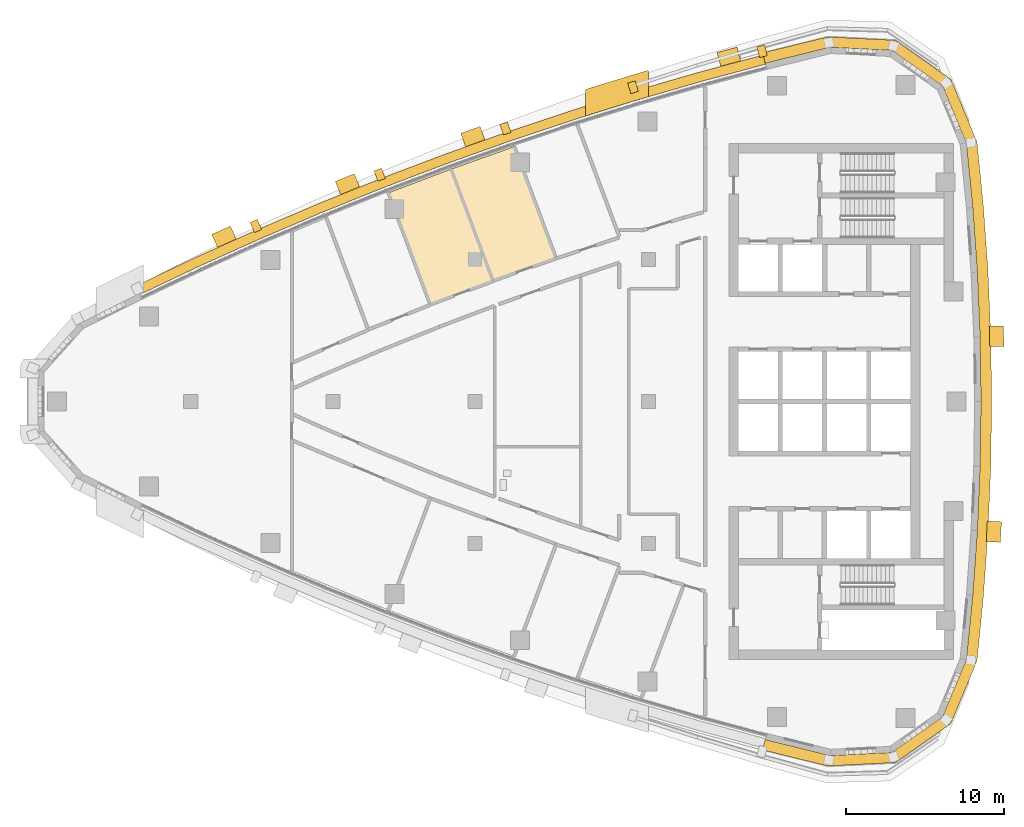
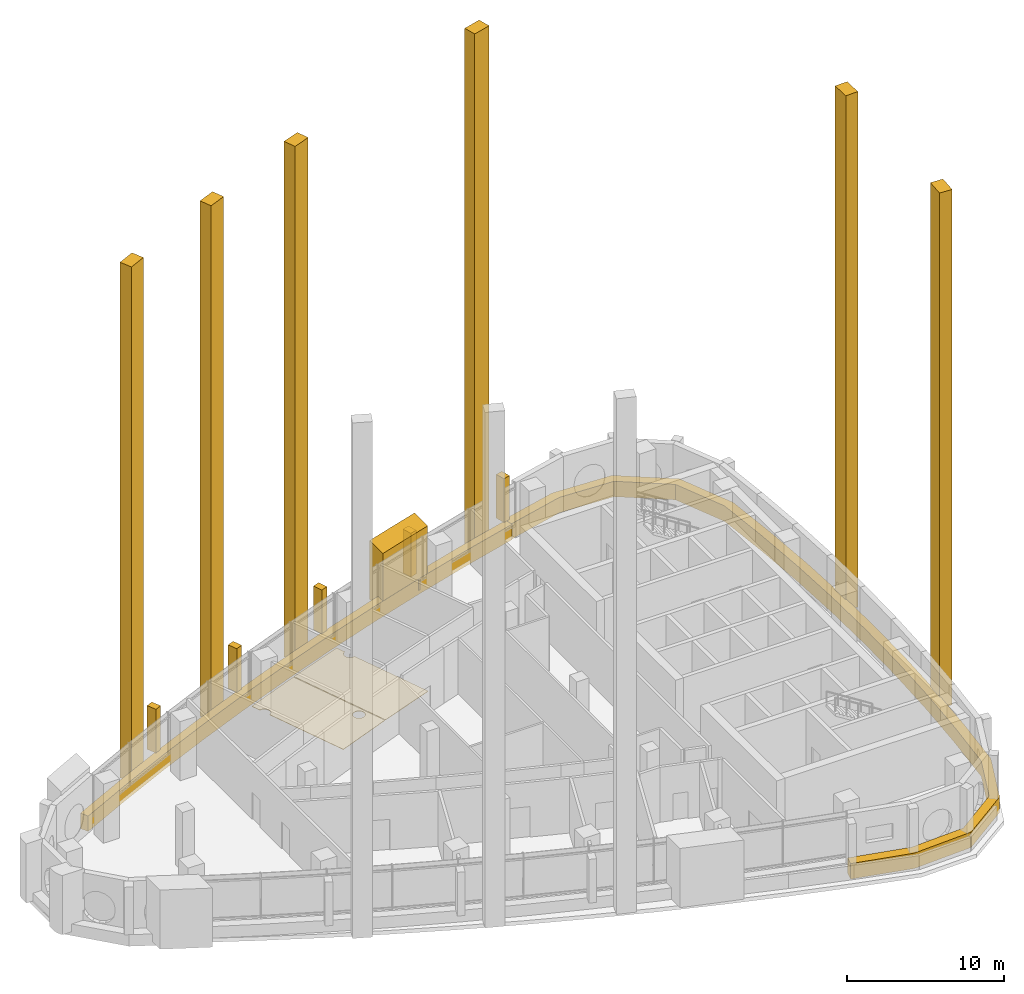
# One storey, part 13 of 15: 16 coverings.
"""IFC4 building model written with IfcOpenShell, lengths in metres."""

from ifc_helpers import new_model, si_unit, direction, frame, frame_2d, origin, place, context, subcontext, project, spatial, polyline, rectangle, outline, extrude, material, layer, layer_set, type_object, element, save


model = new_model("IFC4")

# Units and contexts
model_context = context("Model", 3, precision=1e-05, world=origin(), true_north=direction((0.0, 1.0)))
body_context = subcontext(model_context, "Body", "Model", "MODEL_VIEW")
ifc_project = project(units=[si_unit("LENGTHUNIT", "METRE"), si_unit("AREAUNIT", "SQUARE_METRE"), si_unit("VOLUMEUNIT", "CUBIC_METRE"), si_unit("PLANEANGLEUNIT", "RADIAN"), si_unit("MASSUNIT", "GRAM", prefix="KILO")], contexts=[model_context])

# Site, building, storey
site_placement = place(None, origin())
site = spatial("IfcSite", under=ifc_project, at=site_placement, CompositionType="ELEMENT")
building_placement = place(site_placement, origin())
building = spatial("IfcBuilding", under=site, at=building_placement, Name="Ostrand Prow Hotel Tower", CompositionType="ELEMENT")
storey_placement = place(building_placement, frame((0.0, 0.0, 216.199951171875)))
storey = spatial("IfcBuildingStorey", under=building, at=storey_placement, Name="L54", CompositionType="ELEMENT", Elevation=216.199951171875)

# Coverings
ifc_material_1 = material(Name="Bronze anodised aluminium cladding", Category="aluminium")
ifc_layer_1 = layer(ifc_material_1, 0.60009765625)
ifc_layer_set_1 = layer_set([ifc_layer_1], Name="Bronze anodised aluminium cladding")
covering_type_1 = type_object("IfcCoveringType", Name="Bronze spandrel band 1200x600", PredefinedType="CLADDING", material=ifc_layer_set_1)
covering_1_placement = place(storey_placement, frame((0.0, 0.0, -0.300048828125)))
element("IfcCovering", 1, at=covering_1_placement, inside=storey, type_object=covering_type_1, Name="Spandrel band N1", PredefinedType="CLADDING", context=body_context, shape_type="SweptSolid", body=[
    extrude(outline(polyline([(52.256591796875, 21.944580078125), (48.16064453125, 20.846435546875), (44.087890625, 19.665771484375), (40.039306640625, 18.403564453125), (36.017333984375, 17.059814453125), (32.02294921875, 15.635498046875), (28.058349609375, 14.131103515625), (24.12451171875, 12.547119140625), (20.2236328125, 10.88427734375), (16.35693359375, 9.14306640625), (12.526123046875, 7.324462890625), (12.788818359375, 6.784912109375), (16.60888671875, 8.598388671875), (20.464599609375, 10.334716796875), (24.354248046875, 11.992919921875), (28.27685546875, 13.572265625), (32.230224609375, 15.072509765625), (36.213134765625, 16.49267578125), (40.223876953125, 17.83251953125), (44.260498046875, 19.09130859375), (48.322021484375, 20.268310546875), (52.40625, 21.363525390625), (52.256591796875, 21.944580078125)])), origin(), (0.0, 0.0, 1.0), 1.2001953125),
])
covering_2_placement = place(storey_placement, frame((0.0, 0.0, -0.300048828125)))
element("IfcCovering", 2, at=covering_2_placement, inside=storey, type_object=covering_type_1, Name="Spandrel band back 1", PredefinedType="CLADDING", context=body_context, shape_type="SweptSolid", body=[
    extrude(outline(polyline([(52.22119140625, -22.081787109375), (56.34130859375, -23.09814453125), (60.638671875, -22.8837890625), (64.15771484375, -20.408447265625), (65.81201171875, -16.4365234375), (66.218505859375, -12.3388671875), (66.509033203125, -8.2314453125), (66.68359375, -4.117431640625), (66.74169921875, 0.0), (66.68359375, 4.117431640625), (66.509033203125, 8.2314453125), (66.218505859375, 12.3388671875), (65.81201171875, 16.4365234375), (64.15771484375, 20.408447265625), (60.638671875, 22.8837890625), (56.34130859375, 23.09814453125), (52.22119140625, 22.081787109375), (52.390869140625, 21.42333984375), (56.49755859375, 22.436279296875), (60.417236328125, 22.240966796875), (63.62744140625, 19.98291015625), (65.13623046875, 16.35986328125), (65.541015625, 12.281494140625), (65.830078125, 8.193115234375), (66.00390625, 4.09814453125), (66.061767578125, 0.0), (66.00390625, -4.09814453125), (65.830078125, -8.193115234375), (65.541015625, -12.281494140625), (65.13623046875, -16.35986328125), (63.62744140625, -19.98291015625), (60.417236328125, -22.240966796875), (56.49755859375, -22.436279296875), (52.390869140625, -21.42333984375), (52.22119140625, -22.081787109375)])), origin(), (0.0, 0.0, 1.0), 1.2001953125),
])
ifc_material_2 = material(Name="Limestone cladding", Category="masonry")
ifc_layer_2 = layer(ifc_material_2, 5.0)
ifc_layer_set_2 = layer_set([ifc_layer_2], Name="Limestone cladding")
covering_type_2 = type_object("IfcCoveringType", Name="Portal jamb pilaster limestone", PredefinedType="CLADDING", material=ifc_layer_set_2)
covering_3_placement = place(storey_placement, origin())
element("IfcCovering", 3, at=covering_3_placement, inside=storey, type_object=covering_type_2, Name="Portal jamb NB L54", PredefinedType="CLADDING", context=body_context, shape_type="SweptSolid", body=[
    extrude(outline(polyline([(41.0, 18.08154296875), (42.0, 18.3974609375), (43.0, 18.707763671875), (44.0, 19.0126953125), (45.0, 19.312255859375), (45.0, 20.980712890625), (44.0, 20.68359375), (43.0, 20.381103515625), (42.0, 20.0732421875), (41.0, 19.760009765625), (41.0, 18.08154296875)])), origin(), (0.0, 0.0, 1.0), 4.60009765625),
])
ifc_material_3 = material(Name="Limestone cladding", Category="masonry")
ifc_layer_3 = layer(ifc_material_3, 1.300048828125)
ifc_layer_set_3 = layer_set([ifc_layer_3], Name="Limestone cladding")
covering_type_3 = type_object("IfcCoveringType", Name="Precast stone fin 1300x1500", PredefinedType="CLADDING", material=ifc_layer_set_3)
covering_4_placement = place(storey_placement, frame((50.205810546875, 21.40576171875, 0.0), z_axis=(0.0, 0.0, 1.0), x_axis=(-0.258776761059, 0.965937155273, 0.0)))
element("IfcCovering", 4, at=covering_4_placement, inside=storey, type_object=covering_type_3, Name="Stone fin N zone 5 1", PredefinedType="CLADDING", context=body_context, shape_type="SweptSolid", body=[
    extrude(rectangle(XDim=0.900146484375, YDim=1.300048828125, at=frame_2d((0.4501953125, 0.0))), origin(), (0.0, 0.0, 1.0), 40.10009765625),
])
for number, where, z_axis, x_axis, name in (
    (5, (34.0166015625, 16.35791015625, 0.0), (0.0, 0.0, 1.0), (-0.335855153594, 0.94191364562, 0.0), "Stone fin N zone 5 5"),
    (6, (26.08740234375, 13.34912109375, 0.0), (0.0, 0.0, 1.0), (-0.373588148073, 0.927594682833, 0.0), "Stone fin N zone 5 7"),
    (7, (18.285888671875, 10.0234375, 0.0), (0.0, 0.0, 1.0), (-0.410488764434, 0.911865655825, 0.0), "Stone fin N zone 5 9"),
):
    element("IfcCovering", number, at=place(storey_placement, frame(where, z_axis=z_axis, x_axis=x_axis)), inside=storey, type_object=covering_type_3, Name=name, PredefinedType="CLADDING", context=body_context, shape_type="SweptSolid", body=[
        extrude(rectangle(XDim=0.89990234375, YDim=1.300048828125, at=frame_2d((0.449951171875, 0.0))), origin(), (0.0, 0.0, 1.0), 40.10009765625),
    ])
covering_5_placement = place(storey_placement, frame((66.42919921875, -8.226806640625, 0.0), z_axis=(0.0, 0.0, 1.0), x_axis=(0.998407327282, -0.056416387958, 0.0)))
element("IfcCovering", 8, at=covering_5_placement, inside=storey, type_object=covering_type_3, Name="Stone fin back zone 5 7", PredefinedType="CLADDING", context=body_context, shape_type="SweptSolid", body=[
    extrude(rectangle(XDim=0.900146484375, YDim=1.300048828125, at=frame_2d((0.4501953125, 0.0))), origin(), (0.0, 0.0, 1.0), 40.10009765625),
])
covering_6_placement = place(storey_placement, frame((66.603515625, 4.114990234375, 0.0), z_axis=(0.0, 0.0, 1.0), x_axis=(0.99960198233, 0.028211290682, 0.0)))
element("IfcCovering", 9, at=covering_6_placement, inside=storey, type_object=covering_type_3, Name="Stone fin back zone 5 10", PredefinedType="CLADDING", context=body_context, shape_type="SweptSolid", body=[
    extrude(rectangle(XDim=0.89990234375, YDim=1.300048828125, at=frame_2d((0.449951171875, 0.0))), origin(), (0.0, 0.0, 1.0), 40.10009765625),
])
ifc_material_4 = material(Name="Limestone cladding", Category="masonry")
ifc_layer_4 = layer(ifc_material_4, 0.5)
ifc_layer_set_4 = layer_set([ifc_layer_4], Name="Limestone cladding")
covering_type_4 = type_object("IfcCoveringType", Name="Precast stone fin 500x600", PredefinedType="CLADDING", material=ifc_layer_set_4)
covering_7_placement = place(storey_placement, frame((52.281494140625, 21.847900390625, 0.900146484375), z_axis=(0.0, 0.0, 1.0), x_axis=(-0.249097137298, 0.968478505797, 0.0)))
element("IfcCovering", 10, at=covering_7_placement, inside=storey, type_object=covering_type_4, Name="Stone fin N 1", PredefinedType="CLADDING", context=body_context, shape_type="SweptSolid", body=[
    extrude(rectangle(XDim=0.69970703125, YDim=0.5, at=frame_2d((0.349853515625, 0.0))), origin(), (0.0, 0.0, 1.0), 3.39990234375),
])
covering_8_placement = place(storey_placement, frame((44.11669921875, 19.570068359375, 0.900146484375), z_axis=(0.0, 0.0, 1.0), x_axis=(-0.288371415505, 0.95751862996, 0.0)))
element("IfcCovering", 11, at=covering_8_placement, inside=storey, type_object=covering_type_4, Name="Stone fin N 3", PredefinedType="CLADDING", context=body_context, shape_type="SweptSolid", body=[
    extrude(rectangle(XDim=0.7001953125, YDim=0.5, at=frame_2d((0.35009765625, 0.0))), origin(), (0.0, 0.0, 1.0), 3.39990234375),
])
for number, where, z_axis, x_axis, name in (
    (12, (36.0498046875, 16.96533203125, 0.900146484375), (0.0, 0.0, 1.0), (-0.32646359768, 0.945209775335, 0.0), "Stone fin N 5"),
    (13, (28.0947265625, 14.0380859375, 0.900146484375), (0.0, 0.0, 1.0), (-0.364465099475, 0.931217048418, 0.0), "Stone fin N 7"),
    (14, (20.263916015625, 10.79248046875, 0.900146484375), (0.0, 0.0, 1.0), (-0.40144082023, 0.915884964312, 0.0), "Stone fin N 9"),
):
    element("IfcCovering", number, at=place(storey_placement, frame(where, z_axis=z_axis, x_axis=x_axis)), inside=storey, type_object=covering_type_4, Name=name, PredefinedType="CLADDING", context=body_context, shape_type="SweptSolid", body=[
        extrude(rectangle(XDim=0.699951171875, YDim=0.5, at=frame_2d((0.35009765625, 0.0))), origin(), (0.0, 0.0, 1.0), 3.39990234375),
    ])
ifc_material_5 = material(Name="Polished limestone", Category="masonry")
ifc_layer_5 = layer(ifc_material_5, 0.030029296875)
ifc_layer_set_5 = layer_set([ifc_layer_5], Name="Polished limestone")
covering_type_5 = type_object("IfcCoveringType", Name="Stone floor finish 30 mm", PredefinedType="FLOORING", material=ifc_layer_set_5)
covering_9_placement = place(storey_placement, origin())
element("IfcCovering", 15, at=covering_9_placement, inside=storey, type_object=covering_type_5, Name="Floor finish Private Dining Room", PredefinedType="FLOORING", context=body_context, shape_type="SweptSolid", body=[
    extrude(outline(polyline([(35.1240234375, 7.63720703125), (32.470947265625, 14.7119140625), (28.544677734375, 13.224853515625), (28.783447265625, 12.587890625), (28.783935546875, 12.588134765625), (28.822021484375, 12.59765625), (28.86083984375, 12.603515625), (28.900146484375, 12.60546875), (28.939208984375, 12.603515625), (28.97802734375, 12.59765625), (29.01611328125, 12.588134765625), (29.05322265625, 12.574951171875), (29.088623046875, 12.55810546875), (29.122314453125, 12.5380859375), (29.15380859375, 12.5146484375), (29.182861328125, 12.48828125), (29.209228515625, 12.459228515625), (29.232666015625, 12.427490234375), (29.2529296875, 12.39404296875), (29.269775390625, 12.3583984375), (29.282958984375, 12.321533203125), (29.29248046875, 12.283447265625), (29.298095703125, 12.24462890625), (29.300048828125, 12.205322265625), (29.298095703125, 12.166259765625), (29.29248046875, 12.12744140625), (29.282958984375, 12.08935546875), (29.269775390625, 12.05224609375), (29.2529296875, 12.016845703125), (29.232666015625, 11.983154296875), (29.209228515625, 11.95166015625), (29.182861328125, 11.922607421875), (29.15380859375, 11.896240234375), (29.122314453125, 11.872802734375), (29.088623046875, 11.8525390625), (29.063720703125, 11.8408203125), (31.197509765625, 6.150634765625), (35.1240234375, 7.63720703125)]), holes=[polyline([(34.352783203125, 8.811279296875), (34.33251953125, 8.77783203125), (34.30908203125, 8.74609375), (34.28271484375, 8.71728515625), (34.25390625, 8.69091796875), (34.22216796875, 8.66748046875), (34.188720703125, 8.647216796875), (34.153076171875, 8.63037109375), (34.1162109375, 8.6171875), (34.077880859375, 8.607666015625), (34.039306640625, 8.601806640625), (34.0, 8.60009765625), (33.960693359375, 8.601806640625), (33.922119140625, 8.607666015625), (33.8837890625, 8.6171875), (33.846923828125, 8.63037109375), (33.811279296875, 8.647216796875), (33.77783203125, 8.66748046875), (33.74609375, 8.69091796875), (33.71728515625, 8.71728515625), (33.69091796875, 8.74609375), (33.66748046875, 8.77783203125), (33.647216796875, 8.811279296875), (33.63037109375, 8.846923828125), (33.6171875, 8.8837890625), (33.607666015625, 8.922119140625), (33.601806640625, 8.960693359375), (33.60009765625, 9.0), (33.601806640625, 9.039306640625), (33.607666015625, 9.077880859375), (33.6171875, 9.1162109375), (33.63037109375, 9.153076171875), (33.647216796875, 9.188720703125), (33.66748046875, 9.22216796875), (33.69091796875, 9.25390625), (33.71728515625, 9.28271484375), (33.74609375, 9.30908203125), (33.77783203125, 9.33251953125), (33.811279296875, 9.352783203125), (33.846923828125, 9.36962890625), (33.8837890625, 9.3828125), (33.922119140625, 9.392333984375), (33.960693359375, 9.398193359375), (34.0, 9.39990234375), (34.039306640625, 9.398193359375), (34.077880859375, 9.392333984375), (34.1162109375, 9.3828125), (34.153076171875, 9.36962890625), (34.188720703125, 9.352783203125), (34.22216796875, 9.33251953125), (34.25390625, 9.30908203125), (34.28271484375, 9.28271484375), (34.30908203125, 9.25390625), (34.33251953125, 9.22216796875), (34.352783203125, 9.188720703125), (34.36962890625, 9.153076171875), (34.3828125, 9.1162109375), (34.392333984375, 9.077880859375), (34.398193359375, 9.039306640625), (34.39990234375, 9.0), (34.398193359375, 8.960693359375), (34.392333984375, 8.922119140625), (34.3828125, 8.8837890625), (34.36962890625, 8.846923828125), (34.352783203125, 8.811279296875)])]), origin(), (0.0, 0.0, 1.0), 0.030029296875),
])
covering_10_placement = place(storey_placement, origin())
element("IfcCovering", 16, at=covering_10_placement, inside=storey, type_object=covering_type_5, Name="Floor finish Private Dining Room", PredefinedType="FLOORING", context=body_context, shape_type="SweptSolid", body=[
    extrude(outline(polyline([(35.166259765625, 7.652587890625), (39.124267578125, 9.055908203125), (36.988525390625, 14.750732421875), (36.9833984375, 14.748779296875), (36.9453125, 14.7392578125), (36.906494140625, 14.7333984375), (36.8671875, 14.731689453125), (36.827880859375, 14.7333984375), (36.789306640625, 14.7392578125), (36.751220703125, 14.748779296875), (36.714111328125, 14.761962890625), (36.6787109375, 14.77880859375), (36.64501953125, 14.799072265625), (36.61328125, 14.822509765625), (36.58447265625, 14.848876953125), (36.55810546875, 14.877685546875), (36.53466796875, 14.909423828125), (36.514404296875, 14.943115234375), (36.49755859375, 14.978515625), (36.484375, 15.015380859375), (36.474853515625, 15.0537109375), (36.468994140625, 15.09228515625), (36.46728515625, 15.131591796875), (36.468994140625, 15.1708984375), (36.474853515625, 15.209716796875), (36.484375, 15.247802734375), (36.49755859375, 15.28466796875), (36.514404296875, 15.3203125), (36.53466796875, 15.353759765625), (36.55810546875, 15.385498046875), (36.58447265625, 15.414306640625), (36.61328125, 15.44091796875), (36.64501953125, 15.464111328125), (36.6787109375, 15.484375), (36.708251953125, 15.498291015625), (36.469482421875, 16.13525390625), (32.51318359375, 14.7275390625), (35.166259765625, 7.652587890625)])), origin(), (0.0, 0.0, 1.0), 0.030029296875),
])

save(model, "model.ifc")
